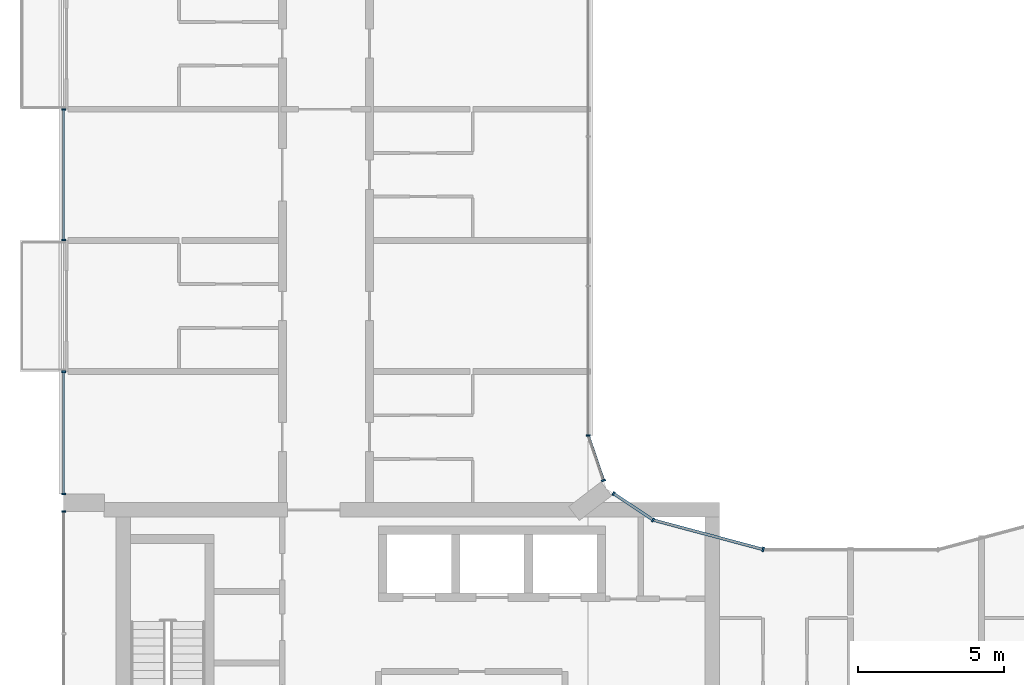
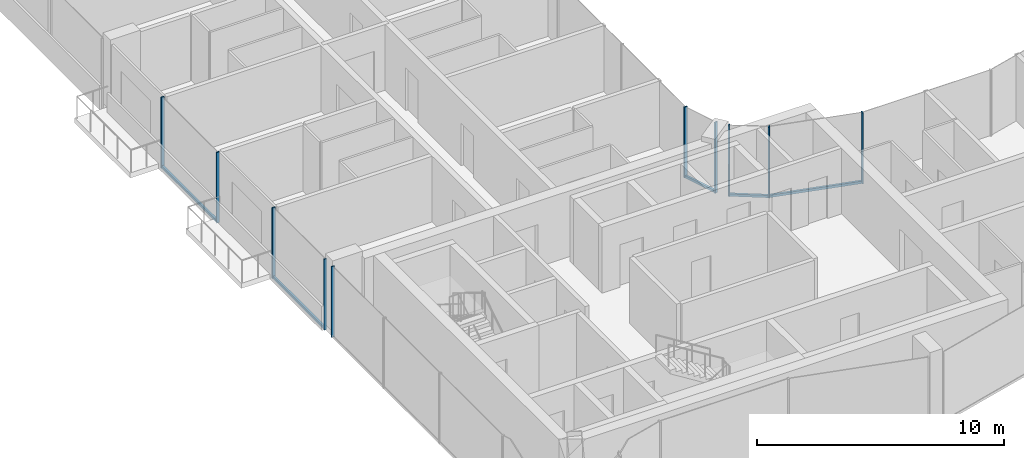
# One storey, part 4 of 16: 15 members, 7 elements without a shape of their own.
"""IFC4 building model written with IfcOpenShell, lengths in metres."""

from ifc_helpers import new_model, si_unit, direction, frame, origin, origin_2d, place, context, subcontext, project, spatial, rectangle, extrude, material, layer, layer_set, material_profile, profile_set, type_object, element, aggregate, save


model = new_model("IFC4")

# Units and contexts
model_context = context("Model", 3, precision=1e-05, world=origin(), true_north=direction((0.0, 1.0)))
body_context = subcontext(model_context, "Body", "Model", "MODEL_VIEW")
ifc_project = project(units=[si_unit("LENGTHUNIT", "METRE"), si_unit("AREAUNIT", "SQUARE_METRE"), si_unit("VOLUMEUNIT", "CUBIC_METRE"), si_unit("PLANEANGLEUNIT", "RADIAN"), si_unit("MASSUNIT", "GRAM", prefix="KILO")], contexts=[model_context])

# Site, building, storey
site_placement = place(None, origin())
site = spatial("IfcSite", under=ifc_project, at=site_placement, CompositionType="ELEMENT")
building_placement = place(site_placement, origin())
building = spatial("IfcBuilding", under=site, at=building_placement, Name="Plateau Cross Towers", CompositionType="ELEMENT")
storey_placement = place(building_placement, frame((0.0, 0.0, 215.39990234375)))
storey = spatial("IfcBuildingStorey", under=building, at=storey_placement, Name="L56", CompositionType="ELEMENT", Elevation=215.39990234375)

# Curtain wall, members
ifc_material_1 = material(Name="Dark low-iron glass", Category="glass")
ifc_layer_1 = layer(ifc_material_1, 0.239990234375)
ifc_layer_set_1 = layer_set([ifc_layer_1], Name="Dark low-iron glass")
curtain_wall_type_1 = type_object("IfcCurtainWallType", Name="Curtain wall flush unitised CW-B", PredefinedType="NOTDEFINED", material=ifc_layer_set_1)
curtain_wall_1_placement = place(storey_placement, origin())
curtain_wall_1 = element("IfcCurtainWall", 1, at=curtain_wall_1_placement, inside=storey, type_object=curtain_wall_type_1, Name="ENV/A/L56/A202_174", PredefinedType="NOTDEFINED")
ifc_material_2 = material(Name="Black anodised aluminium", Category="aluminium")
ifc_material_profile_1 = material_profile(ifc_material_2, rectangle(XDim=0.06005859375, YDim=0.139892578125, at=origin_2d()), Name="MULLION 60x140")
ifc_profile_set_1 = profile_set([ifc_material_profile_1], Name="Black anodised aluminium")
member_type_1 = type_object("IfcMemberType", Name="Mullion 60x140 flush unitised", PredefinedType="MULLION", material=ifc_profile_set_1)
member_1_placement = place(storey_placement, frame((20.223876953125, 17.404296875, -0.25), z_axis=(0.0, 0.0, 1.0), x_axis=(-0.831521253329, 0.555492938984, 0.0)))
member_1 = element("IfcMember", 2, at=member_1_placement, type_object=member_type_1, Name="CW-B mullion 1", PredefinedType="MULLION", context=body_context, shape_type="SweptSolid", body=[
    extrude(rectangle(XDim=0.06005859375, YDim=0.139892578125, at=origin_2d()), origin(), (0.0, 0.0, 1.0), 3.5),
])
member_2_placement = place(storey_placement, frame((18.86962890625, 18.30908203125, -0.25), z_axis=(0.0, 0.0, 1.0), x_axis=(-0.831521253329, 0.555492938984, 0.0)))
member_2 = element("IfcMember", 3, at=member_2_placement, type_object=member_type_1, Name="CW-B mullion 2", PredefinedType="MULLION", context=body_context, shape_type="SweptSolid", body=[
    extrude(rectangle(XDim=0.06005859375, YDim=0.139892578125, at=origin_2d()), origin(), (0.0, 0.0, 1.0), 3.5),
])

# Curtain wall, member
curtain_wall_2_placement = place(storey_placement, origin())
curtain_wall_2 = element("IfcCurtainWall", 4, at=curtain_wall_2_placement, inside=storey, type_object=curtain_wall_type_1, Name="ENV/A/L56/A185_188", PredefinedType="NOTDEFINED")
member_3_placement = place(storey_placement, frame((18.523681640625, 18.760009765625, -0.25), z_axis=(0.0, 0.0, 1.0), x_axis=(-0.321469161574, 0.94692004845, 0.0)))
member_3 = element("IfcMember", 5, at=member_3_placement, type_object=member_type_1, Name="CW-B mullion 1", PredefinedType="MULLION", context=body_context, shape_type="SweptSolid", body=[
    extrude(rectangle(XDim=0.06005859375, YDim=0.139892578125, at=origin_2d()), origin(), (0.0, 0.0, 1.0), 3.5),
])

curtain_wall_3_placement = place(storey_placement, origin())
curtain_wall_3 = element("IfcCurtainWall", 6, at=curtain_wall_3_placement, inside=storey, type_object=curtain_wall_type_1, Name="ENV/A/L56/A180_203", PredefinedType="NOTDEFINED")
member_4_placement = place(storey_placement, frame((18.0, 20.30224609375, -0.25), z_axis=(0.0, 0.0, 1.0), x_axis=(0.0, 1.0, 0.0)))
member_4 = element("IfcMember", 7, at=member_4_placement, type_object=member_type_1, Name="CW-B mullion 1", PredefinedType="MULLION", context=body_context, shape_type="SweptSolid", body=[
    extrude(rectangle(XDim=0.06005859375, YDim=0.139892578125, at=origin_2d()), origin(), (0.0, 0.0, 1.0), 3.5),
])
aggregate(curtain_wall_3, [member_4])

# Curtain wall, members
curtain_wall_4_placement = place(storey_placement, origin())
curtain_wall_4 = element("IfcCurtainWall", 8, at=curtain_wall_4_placement, inside=storey, type_object=curtain_wall_type_1, Name="ENV/A/L56/A0_315", PredefinedType="NOTDEFINED")
member_5_placement = place(storey_placement, frame((0.0, 31.489990234375, -0.25), z_axis=(0.0, 0.0, 1.0), x_axis=(0.0, -1.0, 0.0)))
member_5 = element("IfcMember", 9, at=member_5_placement, type_object=member_type_1, Name="CW-B mullion 1", PredefinedType="MULLION", context=body_context, shape_type="SweptSolid", body=[
    extrude(rectangle(XDim=0.06005859375, YDim=0.139892578125, at=origin_2d()), origin(), (0.0, 0.0, 1.0), 3.5),
])
member_6_placement = place(storey_placement, frame((0.0, 27.010009765625, -0.25), z_axis=(0.0, 0.0, 1.0), x_axis=(0.0, -1.0, 0.0)))
member_6 = element("IfcMember", 10, at=member_6_placement, type_object=member_type_1, Name="CW-B mullion 2", PredefinedType="MULLION", context=body_context, shape_type="SweptSolid", body=[
    extrude(rectangle(XDim=0.06005859375, YDim=0.139892578125, at=origin_2d()), origin(), (0.0, 0.0, 1.0), 3.5),
])

curtain_wall_5_placement = place(storey_placement, origin())
curtain_wall_5 = element("IfcCurtainWall", 11, at=curtain_wall_5_placement, inside=storey, type_object=curtain_wall_type_1, Name="ENV/A/L56/A0_225", PredefinedType="NOTDEFINED")
member_7_placement = place(storey_placement, frame((0.0, 22.489990234375, -0.25), z_axis=(0.0, 0.0, 1.0), x_axis=(0.0, -1.0, 0.0)))
member_7 = element("IfcMember", 12, at=member_7_placement, type_object=member_type_1, Name="CW-B mullion 1", PredefinedType="MULLION", context=body_context, shape_type="SweptSolid", body=[
    extrude(rectangle(XDim=0.06005859375, YDim=0.139892578125, at=origin_2d()), origin(), (0.0, 0.0, 1.0), 3.5),
])
member_8_placement = place(storey_placement, frame((0.0, 18.300048828125, -0.25), z_axis=(0.0, 0.0, 1.0), x_axis=(0.0, -1.0, 0.0)))
member_8 = element("IfcMember", 13, at=member_8_placement, type_object=member_type_1, Name="CW-B mullion 2", PredefinedType="MULLION", context=body_context, shape_type="SweptSolid", body=[
    extrude(rectangle(XDim=0.06005859375, YDim=0.139892578125, at=origin_2d()), origin(), (0.0, 0.0, 1.0), 3.5),
])

# Curtain wall, member
curtain_wall_6_placement = place(storey_placement, origin())
curtain_wall_6 = element("IfcCurtainWall", 14, at=curtain_wall_6_placement, inside=storey, type_object=curtain_wall_type_1, Name="ENV/A/L56/A0_177", PredefinedType="NOTDEFINED")
member_9_placement = place(storey_placement, frame((0.0, 17.699951171875, -0.25), z_axis=(0.0, 0.0, 1.0), x_axis=(0.0, -1.0, 0.0)))
member_9 = element("IfcMember", 15, at=member_9_placement, type_object=member_type_1, Name="CW-B mullion 1", PredefinedType="MULLION", context=body_context, shape_type="SweptSolid", body=[
    extrude(rectangle(XDim=0.06005859375, YDim=0.139892578125, at=origin_2d()), origin(), (0.0, 0.0, 1.0), 3.5),
])
aggregate(curtain_wall_6, [member_9])

ifc_layer_2 = layer(ifc_material_1, 0.260009765625)
ifc_layer_set_2 = layer_set([ifc_layer_2], Name="Dark low-iron glass")
curtain_wall_type_2 = type_object("IfcCurtainWallType", Name="Curtain wall fluted unitised CW-A", PredefinedType="NOTDEFINED", material=ifc_layer_set_2)
curtain_wall_7_placement = place(storey_placement, origin())
curtain_wall_7 = element("IfcCurtainWall", 16, at=curtain_wall_7_placement, inside=storey, type_object=curtain_wall_type_2, Name="ENV/A/L56/A240_164", PredefinedType="NOTDEFINED")
ifc_material_profile_2 = material_profile(ifc_material_2, rectangle(XDim=0.06005859375, YDim=0.159912109375, at=origin_2d()), Name="MULLION 60x160")
ifc_profile_set_2 = profile_set([ifc_material_profile_2], Name="Black anodised aluminium")
member_type_2 = type_object("IfcMemberType", Name="Mullion 60x160 fluted unitised", PredefinedType="MULLION", material=ifc_profile_set_2)
member_10_placement = place(storey_placement, frame((24.0, 16.39306640625, -0.25), z_axis=(0.0, 0.0, 1.0), x_axis=(-0.965957995816, 0.258698956933, 0.0)))
member_10 = element("IfcMember", 17, at=member_10_placement, type_object=member_type_2, Name="CW-A mullion 1", PredefinedType="MULLION", context=body_context, shape_type="SweptSolid", body=[
    extrude(rectangle(XDim=0.06005859375, YDim=0.159912109375, at=origin_2d()), origin(), (0.0, 0.0, 1.0), 3.5),
])

# Member
ifc_material_profile_3 = material_profile(ifc_material_2, rectangle(XDim=0.10009765625, YDim=0.1201171875, at=origin_2d()), Name="TRANSOM 100x120")
ifc_profile_set_3 = profile_set([ifc_material_profile_3], Name="Black anodised aluminium")
member_type_3 = type_object("IfcMemberType", Name="Transom 100x120 flush unitised", PredefinedType="USERDEFINED", material=ifc_profile_set_3)
member_11_placement = place(storey_placement, frame((20.223876953125, 17.404296875, -0.18994140625), z_axis=(-0.831496402487, 0.555530136582, 0.0), x_axis=(-0.555530136582, -0.831496402487, 0.0)))
member_11 = element("IfcMember", 18, at=member_11_placement, type_object=member_type_3, Name="CW-B transom", ObjectType="TRANSOM", PredefinedType="USERDEFINED", context=body_context, shape_type="SweptSolid", body=[
    extrude(rectangle(XDim=0.10009765625, YDim=0.1201171875, at=origin_2d()), origin(), (0.0, 0.0, 1.0), 1.628662109375),
])

aggregate(curtain_wall_1, [member_1, member_2, member_11])

member_12_placement = place(storey_placement, frame((18.523681640625, 18.760009765625, -0.18994140625), z_axis=(-0.321529174838, 0.946899672472, 0.0), x_axis=(-0.946899672472, -0.321529174838, 0.0)))
member_12 = element("IfcMember", 19, at=member_12_placement, type_object=member_type_3, Name="CW-B transom", ObjectType="TRANSOM", PredefinedType="USERDEFINED", context=body_context, shape_type="SweptSolid", body=[
    extrude(rectangle(XDim=0.10009765625, YDim=0.1201171875, at=origin_2d()), origin(), (0.0, 0.0, 1.0), 1.628662109375),
])

aggregate(curtain_wall_2, [member_3, member_12])

member_13_placement = place(storey_placement, frame((0.0, 31.489990234375, -0.18994140625), z_axis=(0.0, -1.0, 0.0), x_axis=(1.0, 0.0, 0.0)))
member_13 = element("IfcMember", 20, at=member_13_placement, type_object=member_type_3, Name="CW-B transom", ObjectType="TRANSOM", PredefinedType="USERDEFINED", context=body_context, shape_type="SweptSolid", body=[
    extrude(rectangle(XDim=0.10009765625, YDim=0.1201171875, at=origin_2d()), origin(), (0.0, 0.0, 1.0), 4.47998046875),
])

aggregate(curtain_wall_4, [member_5, member_6, member_13])

member_14_placement = place(storey_placement, frame((0.0, 22.489990234375, -0.18994140625), z_axis=(0.0, -1.0, 0.0), x_axis=(1.0, 0.0, 0.0)))
member_14 = element("IfcMember", 21, at=member_14_placement, type_object=member_type_3, Name="CW-B transom", ObjectType="TRANSOM", PredefinedType="USERDEFINED", context=body_context, shape_type="SweptSolid", body=[
    extrude(rectangle(XDim=0.10009765625, YDim=0.1201171875, at=origin_2d()), origin(), (0.0, 0.0, 1.0), 4.18994140625),
])

aggregate(curtain_wall_5, [member_7, member_8, member_14])

ifc_material_profile_4 = material_profile(ifc_material_2, rectangle(XDim=0.10009765625, YDim=0.1201171875, at=origin_2d()), Name="TRANSOM 100x120")
ifc_profile_set_4 = profile_set([ifc_material_profile_4], Name="Black anodised aluminium")
member_type_4 = type_object("IfcMemberType", Name="Transom 100x120 fluted unitised", PredefinedType="USERDEFINED", material=ifc_profile_set_4)
member_15_placement = place(storey_placement, frame((24.0, 16.39306640625, -0.18994140625), z_axis=(-0.965962822393, 0.25868093427, 0.0), x_axis=(-0.25868093427, -0.965962822393, 0.0)))
member_15 = element("IfcMember", 22, at=member_15_placement, type_object=member_type_4, Name="CW-A transom", ObjectType="TRANSOM", PredefinedType="USERDEFINED", context=body_context, shape_type="SweptSolid", body=[
    extrude(rectangle(XDim=0.10009765625, YDim=0.1201171875, at=origin_2d()), origin(), (0.0, 0.0, 1.0), 3.9091796875),
])

aggregate(curtain_wall_7, [member_10, member_15])

save(model, "model.ifc")
